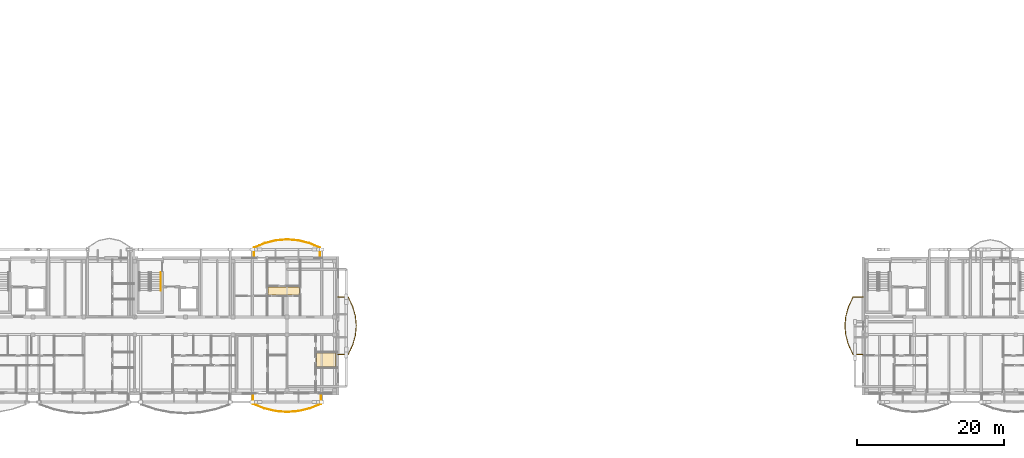
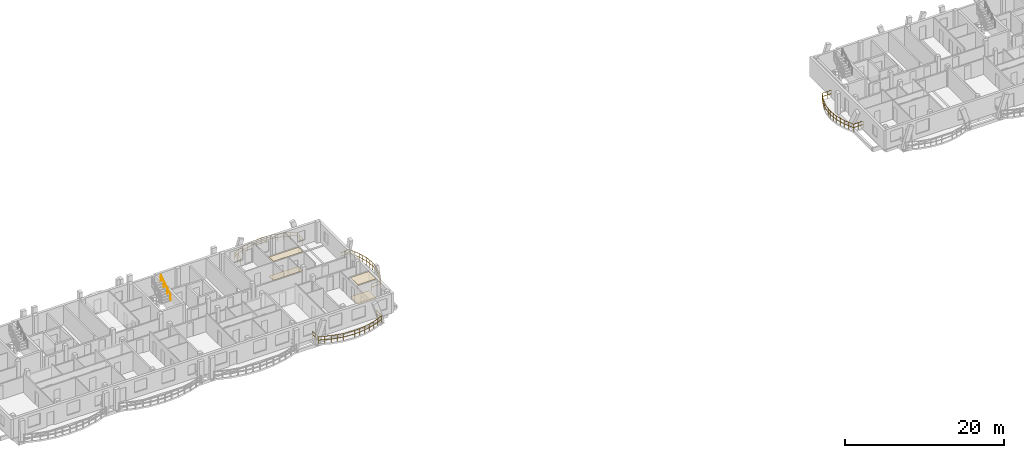
# One storey, part 37 of 44: 5 railings, 4 coverings.
"""IFC4 building model written with IfcOpenShell, lengths in metres."""

from ifc_helpers import new_model, si_unit, direction, frame, origin, origin_2d, place, context, subcontext, project, spatial, polyline, rectangle, outline, extrude, material, layer, layer_set, type_object, element, save


model = new_model("IFC4")

# Units and contexts
model_context = context("Model", 3, precision=1e-05, world=origin(), true_north=direction((0.0, 1.0)))
body_context = subcontext(model_context, "Body", "Model", "MODEL_VIEW")
ifc_project = project(units=[si_unit("LENGTHUNIT", "METRE"), si_unit("AREAUNIT", "SQUARE_METRE"), si_unit("VOLUMEUNIT", "CUBIC_METRE"), si_unit("PLANEANGLEUNIT", "RADIAN"), si_unit("MASSUNIT", "GRAM", prefix="KILO")], contexts=[model_context])

# Site, building, storey
site_placement = place(None, origin())
site = spatial("IfcSite", under=ifc_project, at=site_placement, CompositionType="ELEMENT")
building_placement = place(site_placement, origin())
building = spatial("IfcBuilding", under=site, at=building_placement, Name="Zavelmont Quarter", CompositionType="ELEMENT")
storey_placement = place(building_placement, frame((0.0, 0.0, 20.800048828125)))
storey = spatial("IfcBuildingStorey", under=building, at=storey_placement, Name="L06", CompositionType="ELEMENT", Elevation=20.800048828125)

# Coverings
ifc_material_1 = material(Name="Slatted European ash acoustic baffle ceiling")
ifc_layer_1 = layer(ifc_material_1, 0.0400390625)
ifc_layer_set_1 = layer_set([ifc_layer_1], Name="Slatted European ash acoustic baffle ceiling")
covering_type_1 = type_object("IfcCoveringType", Name="CV-CL02", PredefinedType="CEILING", material=ifc_layer_set_1)
covering_1_placement = place(storey_placement, frame((0.0, 0.0, 2.909912109375)))
element("IfcCovering", 1, at=covering_1_placement, inside=storey, type_object=covering_type_1, Name="L06 Apartment Hall acoustic ceiling", PredefinedType="CEILING", context=body_context, shape_type="SweptSolid", body=[
    extrude(outline(polyline([(45.72998046875, 14.469970703125), (49.969970703125, 14.469970703125), (49.969970703125, 13.3798828125), (45.72998046875, 13.3798828125), (45.72998046875, 14.469970703125)])), origin(), (0.0, 0.0, 1.0), 0.0400390625),
])
ifc_material_2 = material(Name="Moisture-resistant painted gypsum ceiling")
ifc_layer_2 = layer(ifc_material_2, 0.02001953125)
ifc_layer_set_2 = layer_set([ifc_layer_2], Name="Moisture-resistant painted gypsum ceiling")
covering_type_2 = type_object("IfcCoveringType", Name="CV-CL04", PredefinedType="CEILING", material=ifc_layer_set_2)
covering_2_placement = place(storey_placement, frame((0.0, 0.0, 2.929931640625)))
element("IfcCovering", 2, at=covering_2_placement, inside=storey, type_object=covering_type_2, Name="L06 Bathroom acoustic ceiling", PredefinedType="CEILING", context=body_context, shape_type="SweptSolid", body=[
    extrude(outline(polyline([(52.330078125, 5.469970703125), (54.969970703125, 5.469970703125), (54.969970703125, 3.6298828125), (52.330078125, 3.6298828125), (52.330078125, 5.469970703125)])), origin(), (0.0, 0.0, 1.0), 0.02001953125),
])
ifc_material_3 = material(Name="Honed Belgian bluestone tile", Category="masonry")
ifc_layer_3 = layer(ifc_material_3, 0.030029296875)
ifc_layer_set_3 = layer_set([ifc_layer_3], Name="Honed Belgian bluestone tile")
covering_type_3 = type_object("IfcCoveringType", Name="CV-FL02", PredefinedType="FLOORING", material=ifc_layer_set_3)
covering_3_placement = place(storey_placement, origin())
element("IfcCovering", 3, at=covering_3_placement, inside=storey, type_object=covering_type_3, Name="L06 Apartment Hall floor finish", PredefinedType="FLOORING", context=body_context, shape_type="SweptSolid", body=[
    extrude(outline(polyline([(45.72998046875, 14.469970703125), (49.969970703125, 14.469970703125), (49.969970703125, 13.3798828125), (45.72998046875, 13.3798828125), (45.72998046875, 14.469970703125)])), origin(), (0.0, 0.0, 1.0), 0.030029296875),
])
ifc_material_4 = material(Name="Slip-resistant porcelain tile")
ifc_layer_4 = layer(ifc_material_4, 0.02587890625)
ifc_layer_set_4 = layer_set([ifc_layer_4], Name="Slip-resistant porcelain tile")
covering_type_4 = type_object("IfcCoveringType", Name="CV-FL04", PredefinedType="FLOORING", material=ifc_layer_set_4)
covering_4_placement = place(storey_placement, origin())
element("IfcCovering", 4, at=covering_4_placement, inside=storey, type_object=covering_type_4, Name="L06 Bathroom floor finish", PredefinedType="FLOORING", context=body_context, shape_type="SweptSolid", body=[
    extrude(outline(polyline([(52.330078125, 5.469970703125), (54.969970703125, 5.469970703125), (54.969970703125, 3.6298828125), (52.330078125, 3.6298828125), (52.330078125, 5.469970703125)])), origin(), (0.0, 0.0, 1.0), 0.02587890625),
])

# Railings
ifc_material_5 = material(Name="Powder-coated steel and tempered double safety glass", Category="steel")
railing_type_1 = type_object("IfcRailingType", Name="RL-BAL1", PredefinedType="BALUSTRADE", material=ifc_material_5)
railing_1_placement = place(storey_placement, frame((43.685302734375, -0.02001953125, 0.0)))
element("IfcRailing", 5, at=railing_1_placement, inside=storey, type_object=railing_type_1, Name="L06 Block A curved balcony guard RL-BAL1", PredefinedType="BALUSTRADE", context=body_context, shape_type="SweptSolid", body=[
    extrude(rectangle(XDim=0.048095703125, YDim=0.048095703125, at=origin_2d()), frame((0.0, 0.0, 1.076171875), z_axis=(0.0, -1.0, 0.0), x_axis=(1.0, 0.0, 0.0)), (0.0, 0.0, 1.0), 1.392333984375),
    extrude(rectangle(XDim=0.048095703125, YDim=0.048095703125, at=origin_2d()), frame((0.0, 0.0, 0.550048828125), z_axis=(0.0, -1.0, 0.0), x_axis=(1.0, 0.0, 0.0)), (0.0, 0.0, 1.0), 1.392333984375),
    extrude(rectangle(XDim=0.048095703125, YDim=0.048095703125, at=origin_2d()), frame((0.0, -1.392333984375, 1.076171875), z_axis=(0.928222444561, -0.372025662304, 0.0), x_axis=(0.372025662304, 0.928222444561, 0.0)), (0.0, 0.0, 1.0), 1.656982421875),
    extrude(rectangle(XDim=0.048095703125, YDim=0.048095703125, at=origin_2d()), frame((0.0, -1.392333984375, 0.550048828125), z_axis=(0.928222444561, -0.372025662304, 0.0), x_axis=(0.372025662304, 0.928222444561, 0.0)), (0.0, 0.0, 1.0), 1.656982421875),
    extrude(rectangle(XDim=0.048095703125, YDim=0.048095703125, at=origin_2d()), frame((1.5380859375, -2.0087890625, 1.076171875), z_axis=(0.972290572243, -0.233775625607, 0.0), x_axis=(0.233775625607, 0.972290572243, 0.0)), (0.0, 0.0, 1.0), 1.582275390625),
    extrude(rectangle(XDim=0.048095703125, YDim=0.048095703125, at=origin_2d()), frame((1.5380859375, -2.0087890625, 0.550048828125), z_axis=(0.972290572243, -0.233775625607, 0.0), x_axis=(0.233775625607, 0.972290572243, 0.0)), (0.0, 0.0, 1.0), 1.582275390625),
    extrude(rectangle(XDim=0.048095703125, YDim=0.048095703125, at=origin_2d()), frame((3.076416015625, -2.378662109375, 1.076171875), z_axis=(0.996803698739, -0.079889837782, 0.0), x_axis=(0.079889837782, 0.996803698739, 0.0)), (0.0, 0.0, 1.0), 1.543212890625),
    extrude(rectangle(XDim=0.048095703125, YDim=0.048095703125, at=origin_2d()), frame((3.076416015625, -2.378662109375, 0.550048828125), z_axis=(0.996803698739, -0.079889837782, 0.0), x_axis=(0.079889837782, 0.996803698739, 0.0)), (0.0, 0.0, 1.0), 1.543212890625),
    extrude(rectangle(XDim=0.048095703125, YDim=0.048095703125, at=origin_2d()), frame((4.61474609375, -2.501953125, 1.076171875), z_axis=(0.996802688821, 0.079902437755, 0.0), x_axis=(-0.079902437755, 0.996802688821, 0.0)), (0.0, 0.0, 1.0), 1.54296875),
    extrude(rectangle(XDim=0.048095703125, YDim=0.048095703125, at=origin_2d()), frame((4.61474609375, -2.501953125, 0.550048828125), z_axis=(0.996802688821, 0.079902437755, 0.0), x_axis=(-0.079902437755, 0.996802688821, 0.0)), (0.0, 0.0, 1.0), 1.54296875),
    extrude(rectangle(XDim=0.048095703125, YDim=0.048095703125, at=origin_2d()), frame((6.15283203125, -2.378662109375, 1.076171875), z_axis=(0.972290572243, 0.233775625607, 0.0), x_axis=(-0.233775625607, 0.972290572243, 0.0)), (0.0, 0.0, 1.0), 1.582275390625),
    extrude(rectangle(XDim=0.048095703125, YDim=0.048095703125, at=origin_2d()), frame((6.15283203125, -2.378662109375, 0.550048828125), z_axis=(0.972290572243, 0.233775625607, 0.0), x_axis=(-0.233775625607, 0.972290572243, 0.0)), (0.0, 0.0, 1.0), 1.582275390625),
    extrude(rectangle(XDim=0.048095703125, YDim=0.048095703125, at=origin_2d()), frame((7.691162109375, -2.0087890625, 1.076171875), z_axis=(0.928242832261, 0.371974789947, 0.0), x_axis=(-0.371974789947, 0.928242832261, 0.0)), (0.0, 0.0, 1.0), 1.6572265625),
    extrude(rectangle(XDim=0.048095703125, YDim=0.048095703125, at=origin_2d()), frame((7.691162109375, -2.0087890625, 0.550048828125), z_axis=(0.928242832261, 0.371974789947, 0.0), x_axis=(-0.371974789947, 0.928242832261, 0.0)), (0.0, 0.0, 1.0), 1.6572265625),
    extrude(rectangle(XDim=0.048095703125, YDim=0.048095703125, at=origin_2d()), frame((9.2294921875, -1.392333984375, 1.076171875), z_axis=(0.0, 1.0, 0.0), x_axis=(-1.0, 0.0, 0.0)), (0.0, 0.0, 1.0), 1.392333984375),
    extrude(rectangle(XDim=0.048095703125, YDim=0.048095703125, at=origin_2d()), frame((9.2294921875, -1.392333984375, 0.550048828125), z_axis=(0.0, 1.0, 0.0), x_axis=(-1.0, 0.0, 0.0)), (0.0, 0.0, 1.0), 1.392333984375),
    extrude(rectangle(XDim=0.0419921875, YDim=0.0419921875, at=origin_2d()), origin(), (0.0, 0.0, 1.0), 1.052001953125),
    extrude(rectangle(XDim=0.0419921875, YDim=0.0419921875, at=origin_2d()), frame((0.0, -0.6962890625, 0.0)), (0.0, 0.0, 1.0), 1.052001953125),
    extrude(rectangle(XDim=0.0419921875, YDim=0.0419921875, at=origin_2d()), frame((0.0, -1.392333984375, 0.0)), (0.0, 0.0, 1.0), 1.052001953125),
    extrude(rectangle(XDim=0.0419921875, YDim=0.0419921875, at=origin_2d()), frame((0.76904296875, -1.70068359375, 0.0)), (0.0, 0.0, 1.0), 1.052001953125),
    extrude(rectangle(XDim=0.0419921875, YDim=0.0419921875, at=origin_2d()), frame((1.5380859375, -2.0087890625, 0.0)), (0.0, 0.0, 1.0), 1.052001953125),
    extrude(rectangle(XDim=0.0419921875, YDim=0.0419921875, at=origin_2d()), frame((2.30712890625, -2.19384765625, 0.0)), (0.0, 0.0, 1.0), 1.052001953125),
    extrude(rectangle(XDim=0.0419921875, YDim=0.0419921875, at=origin_2d()), frame((3.076416015625, -2.378662109375, 0.0)), (0.0, 0.0, 1.0), 1.052001953125),
    extrude(rectangle(XDim=0.0419921875, YDim=0.0419921875, at=origin_2d()), frame((3.845703125, -2.4404296875, 0.0)), (0.0, 0.0, 1.0), 1.052001953125),
    extrude(rectangle(XDim=0.0419921875, YDim=0.0419921875, at=origin_2d()), frame((4.61474609375, -2.501953125, 0.0)), (0.0, 0.0, 1.0), 1.052001953125),
    extrude(rectangle(XDim=0.0419921875, YDim=0.0419921875, at=origin_2d()), frame((5.3837890625, -2.4404296875, 0.0)), (0.0, 0.0, 1.0), 1.052001953125),
    extrude(rectangle(XDim=0.0419921875, YDim=0.0419921875, at=origin_2d()), frame((6.15283203125, -2.378662109375, 0.0)), (0.0, 0.0, 1.0), 1.052001953125),
    extrude(rectangle(XDim=0.0419921875, YDim=0.0419921875, at=origin_2d()), frame((6.921875, -2.19384765625, 0.0)), (0.0, 0.0, 1.0), 1.052001953125),
    extrude(rectangle(XDim=0.0419921875, YDim=0.0419921875, at=origin_2d()), frame((7.691162109375, -2.0087890625, 0.0)), (0.0, 0.0, 1.0), 1.052001953125),
    extrude(rectangle(XDim=0.0419921875, YDim=0.0419921875, at=origin_2d()), frame((8.46044921875, -1.70068359375, 0.0)), (0.0, 0.0, 1.0), 1.052001953125),
    extrude(rectangle(XDim=0.0419921875, YDim=0.0419921875, at=origin_2d()), frame((9.2294921875, -1.392333984375, 0.0)), (0.0, 0.0, 1.0), 1.052001953125),
    extrude(rectangle(XDim=0.0419921875, YDim=0.0419921875, at=origin_2d()), frame((9.2294921875, -0.6962890625, 0.0)), (0.0, 0.0, 1.0), 1.052001953125),
    extrude(rectangle(XDim=0.0419921875, YDim=0.0419921875, at=origin_2d()), frame((9.2294921875, 0.0, 0.0)), (0.0, 0.0, 1.0), 1.052001953125),
])
railing_2_placement = place(storey_placement, frame((55.219970703125, 5.276611328125, 0.0)))
element("IfcRailing", 6, at=railing_2_placement, inside=storey, type_object=railing_type_1, Name="L06 Block A curved balcony guard RL-BAL1", PredefinedType="BALUSTRADE", context=body_context, shape_type="SweptSolid", body=[
    extrude(rectangle(XDim=0.048095703125, YDim=0.048095703125, at=origin_2d()), frame((0.0, 0.0, 1.076171875), z_axis=(1.0, 0.0, 0.0), x_axis=(0.0, 1.0, 0.0)), (0.0, 0.0, 1.0), 1.392333984375),
    extrude(rectangle(XDim=0.048095703125, YDim=0.048095703125, at=origin_2d()), frame((0.0, 0.0, 0.550048828125), z_axis=(1.0, 0.0, 0.0), x_axis=(0.0, 1.0, 0.0)), (0.0, 0.0, 1.0), 1.392333984375),
    extrude(rectangle(XDim=0.048095703125, YDim=0.048095703125, at=origin_2d()), frame((1.392333984375, 0.0, 1.076171875), z_axis=(0.42635804945, 0.904554483527, 0.0), x_axis=(-0.904554483527, 0.42635804945, 0.0)), (0.0, 0.0, 1.0), 1.44580078125),
    extrude(rectangle(XDim=0.048095703125, YDim=0.048095703125, at=origin_2d()), frame((1.392333984375, 0.0, 0.550048828125), z_axis=(0.42635804945, 0.904554483527, 0.0), x_axis=(-0.904554483527, 0.42635804945, 0.0)), (0.0, 0.0, 1.0), 1.44580078125),
    extrude(rectangle(XDim=0.048095703125, YDim=0.048095703125, at=origin_2d()), frame((2.0087890625, 1.307861328125, 1.076171875), z_axis=(0.272181235664, 0.962246005423, 0.0), x_axis=(-0.962246005423, 0.272181235664, 0.0)), (0.0, 0.0, 1.0), 1.35888671875),
    extrude(rectangle(XDim=0.048095703125, YDim=0.048095703125, at=origin_2d()), frame((2.0087890625, 1.307861328125, 0.550048828125), z_axis=(0.272181235664, 0.962246005423, 0.0), x_axis=(-0.962246005423, 0.272181235664, 0.0)), (0.0, 0.0, 1.0), 1.35888671875),
    extrude(rectangle(XDim=0.048095703125, YDim=0.048095703125, at=origin_2d()), frame((2.378662109375, 2.615478515625, 1.076171875), z_axis=(0.093853081823, 0.995586058074, 0.0), x_axis=(-0.995586058074, 0.093853081823, 0.0)), (0.0, 0.0, 1.0), 1.313720703125),
    extrude(rectangle(XDim=0.048095703125, YDim=0.048095703125, at=origin_2d()), frame((2.378662109375, 2.615478515625, 0.550048828125), z_axis=(0.093853081823, 0.995586058074, 0.0), x_axis=(-0.995586058074, 0.093853081823, 0.0)), (0.0, 0.0, 1.0), 1.313720703125),
    extrude(rectangle(XDim=0.048095703125, YDim=0.048095703125, at=origin_2d()), frame((2.501953125, 3.92333984375, 1.076171875), z_axis=(-0.093853081823, 0.995586058074, 0.0), x_axis=(-0.995586058074, -0.093853081823, 0.0)), (0.0, 0.0, 1.0), 1.313720703125),
    extrude(rectangle(XDim=0.048095703125, YDim=0.048095703125, at=origin_2d()), frame((2.501953125, 3.92333984375, 0.550048828125), z_axis=(-0.093853081823, 0.995586058074, 0.0), x_axis=(-0.995586058074, -0.093853081823, 0.0)), (0.0, 0.0, 1.0), 1.313720703125),
    extrude(rectangle(XDim=0.048095703125, YDim=0.048095703125, at=origin_2d()), frame((2.378662109375, 5.231201171875, 1.076171875), z_axis=(-0.272134190198, 0.962259311478, 0.0), x_axis=(-0.962259311478, -0.272134190198, 0.0)), (0.0, 0.0, 1.0), 1.359130859375),
    extrude(rectangle(XDim=0.048095703125, YDim=0.048095703125, at=origin_2d()), frame((2.378662109375, 5.231201171875, 0.550048828125), z_axis=(-0.272134190198, 0.962259311478, 0.0), x_axis=(-0.962259311478, -0.272134190198, 0.0)), (0.0, 0.0, 1.0), 1.359130859375),
    extrude(rectangle(XDim=0.048095703125, YDim=0.048095703125, at=origin_2d()), frame((2.0087890625, 6.5390625, 1.076171875), z_axis=(-0.426423179476, 0.904523781891, 0.0), x_axis=(-0.904523781891, -0.426423179476, 0.0)), (0.0, 0.0, 1.0), 1.445556640625),
    extrude(rectangle(XDim=0.048095703125, YDim=0.048095703125, at=origin_2d()), frame((2.0087890625, 6.5390625, 0.550048828125), z_axis=(-0.426423179476, 0.904523781891, 0.0), x_axis=(-0.904523781891, -0.426423179476, 0.0)), (0.0, 0.0, 1.0), 1.445556640625),
    extrude(rectangle(XDim=0.048095703125, YDim=0.048095703125, at=origin_2d()), frame((1.392333984375, 7.8466796875, 1.076171875), z_axis=(-1.0, 0.0, 0.0), x_axis=(0.0, -1.0, 0.0)), (0.0, 0.0, 1.0), 1.392333984375),
    extrude(rectangle(XDim=0.048095703125, YDim=0.048095703125, at=origin_2d()), frame((1.392333984375, 7.8466796875, 0.550048828125), z_axis=(-1.0, 0.0, 0.0), x_axis=(0.0, -1.0, 0.0)), (0.0, 0.0, 1.0), 1.392333984375),
    extrude(rectangle(XDim=0.0419921875, YDim=0.0419921875, at=origin_2d()), origin(), (0.0, 0.0, 1.0), 1.052001953125),
    extrude(rectangle(XDim=0.0419921875, YDim=0.0419921875, at=origin_2d()), frame((0.6962890625, 0.0, 0.0)), (0.0, 0.0, 1.0), 1.052001953125),
    extrude(rectangle(XDim=0.0419921875, YDim=0.0419921875, at=origin_2d()), frame((1.392333984375, 0.0, 0.0)), (0.0, 0.0, 1.0), 1.052001953125),
    extrude(rectangle(XDim=0.0419921875, YDim=0.0419921875, at=origin_2d()), frame((1.70068359375, 0.65380859375, 0.0)), (0.0, 0.0, 1.0), 1.052001953125),
    extrude(rectangle(XDim=0.0419921875, YDim=0.0419921875, at=origin_2d()), frame((2.0087890625, 1.307861328125, 0.0)), (0.0, 0.0, 1.0), 1.052001953125),
    extrude(rectangle(XDim=0.0419921875, YDim=0.0419921875, at=origin_2d()), frame((2.19384765625, 1.961669921875, 0.0)), (0.0, 0.0, 1.0), 1.052001953125),
    extrude(rectangle(XDim=0.0419921875, YDim=0.0419921875, at=origin_2d()), frame((2.378662109375, 2.615478515625, 0.0)), (0.0, 0.0, 1.0), 1.052001953125),
    extrude(rectangle(XDim=0.0419921875, YDim=0.0419921875, at=origin_2d()), frame((2.4404296875, 3.26953125, 0.0)), (0.0, 0.0, 1.0), 1.052001953125),
    extrude(rectangle(XDim=0.0419921875, YDim=0.0419921875, at=origin_2d()), frame((2.501953125, 3.92333984375, 0.0)), (0.0, 0.0, 1.0), 1.052001953125),
    extrude(rectangle(XDim=0.0419921875, YDim=0.0419921875, at=origin_2d()), frame((2.4404296875, 4.5771484375, 0.0)), (0.0, 0.0, 1.0), 1.052001953125),
    extrude(rectangle(XDim=0.0419921875, YDim=0.0419921875, at=origin_2d()), frame((2.378662109375, 5.231201171875, 0.0)), (0.0, 0.0, 1.0), 1.052001953125),
    extrude(rectangle(XDim=0.0419921875, YDim=0.0419921875, at=origin_2d()), frame((2.19384765625, 5.88525390625, 0.0)), (0.0, 0.0, 1.0), 1.052001953125),
    extrude(rectangle(XDim=0.0419921875, YDim=0.0419921875, at=origin_2d()), frame((2.0087890625, 6.5390625, 0.0)), (0.0, 0.0, 1.0), 1.052001953125),
    extrude(rectangle(XDim=0.0419921875, YDim=0.0419921875, at=origin_2d()), frame((1.70068359375, 7.19287109375, 0.0)), (0.0, 0.0, 1.0), 1.052001953125),
    extrude(rectangle(XDim=0.0419921875, YDim=0.0419921875, at=origin_2d()), frame((1.392333984375, 7.8466796875, 0.0)), (0.0, 0.0, 1.0), 1.052001953125),
    extrude(rectangle(XDim=0.0419921875, YDim=0.0419921875, at=origin_2d()), frame((0.6962890625, 7.8466796875, 0.0)), (0.0, 0.0, 1.0), 1.052001953125),
    extrude(rectangle(XDim=0.0419921875, YDim=0.0419921875, at=origin_2d()), frame((0.0, 7.8466796875, 0.0)), (0.0, 0.0, 1.0), 1.052001953125),
])
railing_3_placement = place(storey_placement, frame((52.771484375, 18.419921875, 0.0)))
element("IfcRailing", 7, at=railing_3_placement, inside=storey, type_object=railing_type_1, Name="L06 Block A curved balcony guard RL-BAL1", PredefinedType="BALUSTRADE", context=body_context, shape_type="SweptSolid", body=[
    extrude(rectangle(XDim=0.048095703125, YDim=0.048095703125, at=origin_2d()), frame((0.0, 0.0, 1.076171875), z_axis=(0.0, 1.0, 0.0), x_axis=(-1.0, 0.0, 0.0)), (0.0, 0.0, 1.0), 1.392333984375),
    extrude(rectangle(XDim=0.048095703125, YDim=0.048095703125, at=origin_2d()), frame((0.0, 0.0, 0.550048828125), z_axis=(0.0, 1.0, 0.0), x_axis=(-1.0, 0.0, 0.0)), (0.0, 0.0, 1.0), 1.392333984375),
    extrude(rectangle(XDim=0.048095703125, YDim=0.048095703125, at=origin_2d()), frame((0.0, 1.392333984375, 1.076171875), z_axis=(-0.924081360542, 0.382195812509, 0.0), x_axis=(-0.382195812509, -0.924081360542, 0.0)), (0.0, 0.0, 1.0), 1.613037109375),
    extrude(rectangle(XDim=0.048095703125, YDim=0.048095703125, at=origin_2d()), frame((0.0, 1.392333984375, 0.550048828125), z_axis=(-0.924081360542, 0.382195812509, 0.0), x_axis=(-0.382195812509, -0.924081360542, 0.0)), (0.0, 0.0, 1.0), 1.613037109375),
    extrude(rectangle(XDim=0.048095703125, YDim=0.048095703125, at=origin_2d()), frame((-1.490478515625, 2.0087890625, 1.076171875), z_axis=(-0.970561864422, 0.240851961441, 0.0), x_axis=(-0.240851961441, -0.970561864422, 0.0)), (0.0, 0.0, 1.0), 1.53564453125),
    extrude(rectangle(XDim=0.048095703125, YDim=0.048095703125, at=origin_2d()), frame((-1.490478515625, 2.0087890625, 0.550048828125), z_axis=(-0.970561864422, 0.240851961441, 0.0), x_axis=(-0.240851961441, -0.970561864422, 0.0)), (0.0, 0.0, 1.0), 1.53564453125),
    extrude(rectangle(XDim=0.048095703125, YDim=0.048095703125, at=origin_2d()), frame((-2.98095703125, 2.378662109375, 1.076171875), z_axis=(-0.996582809795, 0.082599656307, 0.0), x_axis=(-0.082599656307, -0.996582809795, 0.0)), (0.0, 0.0, 1.0), 1.49560546875),
    extrude(rectangle(XDim=0.048095703125, YDim=0.048095703125, at=origin_2d()), frame((-2.98095703125, 2.378662109375, 0.550048828125), z_axis=(-0.996582809795, 0.082599656307, 0.0), x_axis=(-0.082599656307, -0.996582809795, 0.0)), (0.0, 0.0, 1.0), 1.49560546875),
    extrude(rectangle(XDim=0.048095703125, YDim=0.048095703125, at=origin_2d()), frame((-4.471435546875, 2.502197265625, 1.076171875), z_axis=(-0.996582809795, -0.082599656307, 0.0), x_axis=(0.082599656307, -0.996582809795, 0.0)), (0.0, 0.0, 1.0), 1.49560546875),
    extrude(rectangle(XDim=0.048095703125, YDim=0.048095703125, at=origin_2d()), frame((-4.471435546875, 2.502197265625, 0.550048828125), z_axis=(-0.996582809795, -0.082599656307, 0.0), x_axis=(0.082599656307, -0.996582809795, 0.0)), (0.0, 0.0, 1.0), 1.49560546875),
    extrude(rectangle(XDim=0.048095703125, YDim=0.048095703125, at=origin_2d()), frame((-5.9619140625, 2.378662109375, 1.076171875), z_axis=(-0.970561864422, -0.240851961441, 0.0), x_axis=(0.240851961441, -0.970561864422, 0.0)), (0.0, 0.0, 1.0), 1.53564453125),
    extrude(rectangle(XDim=0.048095703125, YDim=0.048095703125, at=origin_2d()), frame((-5.9619140625, 2.378662109375, 0.550048828125), z_axis=(-0.970561864422, -0.240851961441, 0.0), x_axis=(0.240851961441, -0.970561864422, 0.0)), (0.0, 0.0, 1.0), 1.53564453125),
    extrude(rectangle(XDim=0.048095703125, YDim=0.048095703125, at=origin_2d()), frame((-7.452392578125, 2.0087890625, 1.076171875), z_axis=(-0.924081360542, -0.382195812509, 0.0), x_axis=(0.382195812509, -0.924081360542, 0.0)), (0.0, 0.0, 1.0), 1.613037109375),
    extrude(rectangle(XDim=0.048095703125, YDim=0.048095703125, at=origin_2d()), frame((-7.452392578125, 2.0087890625, 0.550048828125), z_axis=(-0.924081360542, -0.382195812509, 0.0), x_axis=(0.382195812509, -0.924081360542, 0.0)), (0.0, 0.0, 1.0), 1.613037109375),
    extrude(rectangle(XDim=0.048095703125, YDim=0.048095703125, at=origin_2d()), frame((-8.94287109375, 1.392333984375, 1.076171875), z_axis=(0.0, -1.0, 0.0), x_axis=(1.0, 0.0, 0.0)), (0.0, 0.0, 1.0), 1.392333984375),
    extrude(rectangle(XDim=0.048095703125, YDim=0.048095703125, at=origin_2d()), frame((-8.94287109375, 1.392333984375, 0.550048828125), z_axis=(0.0, -1.0, 0.0), x_axis=(1.0, 0.0, 0.0)), (0.0, 0.0, 1.0), 1.392333984375),
    extrude(rectangle(XDim=0.0419921875, YDim=0.0419921875, at=origin_2d()), origin(), (0.0, 0.0, 1.0), 1.052001953125),
    extrude(rectangle(XDim=0.0419921875, YDim=0.0419921875, at=origin_2d()), frame((0.0, 0.6962890625, 0.0)), (0.0, 0.0, 1.0), 1.052001953125),
    extrude(rectangle(XDim=0.0419921875, YDim=0.0419921875, at=origin_2d()), frame((0.0, 1.392333984375, 0.0)), (0.0, 0.0, 1.0), 1.052001953125),
    extrude(rectangle(XDim=0.0419921875, YDim=0.0419921875, at=origin_2d()), frame((-0.7451171875, 1.70068359375, 0.0)), (0.0, 0.0, 1.0), 1.052001953125),
    extrude(rectangle(XDim=0.0419921875, YDim=0.0419921875, at=origin_2d()), frame((-1.490478515625, 2.0087890625, 0.0)), (0.0, 0.0, 1.0), 1.052001953125),
    extrude(rectangle(XDim=0.0419921875, YDim=0.0419921875, at=origin_2d()), frame((-2.23583984375, 2.19384765625, 0.0)), (0.0, 0.0, 1.0), 1.052001953125),
    extrude(rectangle(XDim=0.0419921875, YDim=0.0419921875, at=origin_2d()), frame((-2.98095703125, 2.378662109375, 0.0)), (0.0, 0.0, 1.0), 1.052001953125),
    extrude(rectangle(XDim=0.0419921875, YDim=0.0419921875, at=origin_2d()), frame((-3.72607421875, 2.4404296875, 0.0)), (0.0, 0.0, 1.0), 1.052001953125),
    extrude(rectangle(XDim=0.0419921875, YDim=0.0419921875, at=origin_2d()), frame((-4.471435546875, 2.502197265625, 0.0)), (0.0, 0.0, 1.0), 1.052001953125),
    extrude(rectangle(XDim=0.0419921875, YDim=0.0419921875, at=origin_2d()), frame((-5.216796875, 2.4404296875, 0.0)), (0.0, 0.0, 1.0), 1.052001953125),
    extrude(rectangle(XDim=0.0419921875, YDim=0.0419921875, at=origin_2d()), frame((-5.9619140625, 2.378662109375, 0.0)), (0.0, 0.0, 1.0), 1.052001953125),
    extrude(rectangle(XDim=0.0419921875, YDim=0.0419921875, at=origin_2d()), frame((-6.70703125, 2.19384765625, 0.0)), (0.0, 0.0, 1.0), 1.052001953125),
    extrude(rectangle(XDim=0.0419921875, YDim=0.0419921875, at=origin_2d()), frame((-7.452392578125, 2.0087890625, 0.0)), (0.0, 0.0, 1.0), 1.052001953125),
    extrude(rectangle(XDim=0.0419921875, YDim=0.0419921875, at=origin_2d()), frame((-8.19775390625, 1.70068359375, 0.0)), (0.0, 0.0, 1.0), 1.052001953125),
    extrude(rectangle(XDim=0.0419921875, YDim=0.0419921875, at=origin_2d()), frame((-8.94287109375, 1.392333984375, 0.0)), (0.0, 0.0, 1.0), 1.052001953125),
    extrude(rectangle(XDim=0.0419921875, YDim=0.0419921875, at=origin_2d()), frame((-8.94287109375, 0.6962890625, 0.0)), (0.0, 0.0, 1.0), 1.052001953125),
    extrude(rectangle(XDim=0.0419921875, YDim=0.0419921875, at=origin_2d()), frame((-8.94287109375, 0.0, 0.0)), (0.0, 0.0, 1.0), 1.052001953125),
])
railing_4_placement = place(storey_placement, frame((126.580078125, 13.123291015625, 0.0)))
element("IfcRailing", 8, at=railing_4_placement, inside=storey, type_object=railing_type_1, Name="L06 Block D curved balcony guard RL-BAL1", PredefinedType="BALUSTRADE", context=body_context, shape_type="SweptSolid", body=[
    extrude(rectangle(XDim=0.048095703125, YDim=0.048095703125, at=origin_2d()), frame((0.0, 0.0, 1.076171875), z_axis=(-1.0, 0.0, 0.0), x_axis=(0.0, -1.0, 0.0)), (0.0, 0.0, 1.0), 1.392333984375),
    extrude(rectangle(XDim=0.048095703125, YDim=0.048095703125, at=origin_2d()), frame((0.0, 0.0, 0.550048828125), z_axis=(-1.0, 0.0, 0.0), x_axis=(0.0, -1.0, 0.0)), (0.0, 0.0, 1.0), 1.392333984375),
    extrude(rectangle(XDim=0.048095703125, YDim=0.048095703125, at=origin_2d()), frame((-1.392333984375, 0.0, 1.076171875), z_axis=(-0.426423179476, -0.904523781891, 0.0), x_axis=(0.904523781891, -0.426423179476, 0.0)), (0.0, 0.0, 1.0), 1.445556640625),
    extrude(rectangle(XDim=0.048095703125, YDim=0.048095703125, at=origin_2d()), frame((-1.392333984375, 0.0, 0.550048828125), z_axis=(-0.426423179476, -0.904523781891, 0.0), x_axis=(0.904523781891, -0.426423179476, 0.0)), (0.0, 0.0, 1.0), 1.445556640625),
    extrude(rectangle(XDim=0.048095703125, YDim=0.048095703125, at=origin_2d()), frame((-2.0087890625, -1.3076171875, 1.076171875), z_axis=(-0.272134190198, -0.962259311478, 0.0), x_axis=(0.962259311478, -0.272134190198, 0.0)), (0.0, 0.0, 1.0), 1.359130859375),
    extrude(rectangle(XDim=0.048095703125, YDim=0.048095703125, at=origin_2d()), frame((-2.0087890625, -1.3076171875, 0.550048828125), z_axis=(-0.272134190198, -0.962259311478, 0.0), x_axis=(0.962259311478, -0.272134190198, 0.0)), (0.0, 0.0, 1.0), 1.359130859375),
    extrude(rectangle(XDim=0.048095703125, YDim=0.048095703125, at=origin_2d()), frame((-2.378662109375, -2.615478515625, 1.076171875), z_axis=(-0.094037287667, -0.995568675948, 0.0), x_axis=(0.995568675948, -0.094037287667, 0.0)), (0.0, 0.0, 1.0), 1.313720703125),
    extrude(rectangle(XDim=0.048095703125, YDim=0.048095703125, at=origin_2d()), frame((-2.378662109375, -2.615478515625, 0.550048828125), z_axis=(-0.094037287667, -0.995568675948, 0.0), x_axis=(0.995568675948, -0.094037287667, 0.0)), (0.0, 0.0, 1.0), 1.313720703125),
    extrude(rectangle(XDim=0.048095703125, YDim=0.048095703125, at=origin_2d()), frame((-2.502197265625, -3.92333984375, 1.076171875), z_axis=(0.094037287667, -0.995568675948, 0.0), x_axis=(0.995568675948, 0.094037287667, 0.0)), (0.0, 0.0, 1.0), 1.313720703125),
    extrude(rectangle(XDim=0.048095703125, YDim=0.048095703125, at=origin_2d()), frame((-2.502197265625, -3.92333984375, 0.550048828125), z_axis=(0.094037287667, -0.995568675948, 0.0), x_axis=(0.995568675948, 0.094037287667, 0.0)), (0.0, 0.0, 1.0), 1.313720703125),
    extrude(rectangle(XDim=0.048095703125, YDim=0.048095703125, at=origin_2d()), frame((-2.378662109375, -5.231201171875, 1.076171875), z_axis=(0.272181235664, -0.962246005423, 0.0), x_axis=(0.962246005423, 0.272181235664, 0.0)), (0.0, 0.0, 1.0), 1.35888671875),
    extrude(rectangle(XDim=0.048095703125, YDim=0.048095703125, at=origin_2d()), frame((-2.378662109375, -5.231201171875, 0.550048828125), z_axis=(0.272181235664, -0.962246005423, 0.0), x_axis=(0.962246005423, 0.272181235664, 0.0)), (0.0, 0.0, 1.0), 1.35888671875),
    extrude(rectangle(XDim=0.048095703125, YDim=0.048095703125, at=origin_2d()), frame((-2.0087890625, -6.538818359375, 1.076171875), z_axis=(0.42635804945, -0.904554483527, 0.0), x_axis=(0.904554483527, 0.42635804945, 0.0)), (0.0, 0.0, 1.0), 1.44580078125),
    extrude(rectangle(XDim=0.048095703125, YDim=0.048095703125, at=origin_2d()), frame((-2.0087890625, -6.538818359375, 0.550048828125), z_axis=(0.42635804945, -0.904554483527, 0.0), x_axis=(0.904554483527, 0.42635804945, 0.0)), (0.0, 0.0, 1.0), 1.44580078125),
    extrude(rectangle(XDim=0.048095703125, YDim=0.048095703125, at=origin_2d()), frame((-1.392333984375, -7.8466796875, 1.076171875), z_axis=(1.0, 0.0, 0.0), x_axis=(0.0, 1.0, 0.0)), (0.0, 0.0, 1.0), 1.392333984375),
    extrude(rectangle(XDim=0.048095703125, YDim=0.048095703125, at=origin_2d()), frame((-1.392333984375, -7.8466796875, 0.550048828125), z_axis=(1.0, 0.0, 0.0), x_axis=(0.0, 1.0, 0.0)), (0.0, 0.0, 1.0), 1.392333984375),
    extrude(rectangle(XDim=0.0419921875, YDim=0.0419921875, at=origin_2d()), origin(), (0.0, 0.0, 1.0), 1.052001953125),
    extrude(rectangle(XDim=0.0419921875, YDim=0.0419921875, at=origin_2d()), frame((-0.6962890625, 0.0, 0.0)), (0.0, 0.0, 1.0), 1.052001953125),
    extrude(rectangle(XDim=0.0419921875, YDim=0.0419921875, at=origin_2d()), frame((-1.392333984375, 0.0, 0.0)), (0.0, 0.0, 1.0), 1.052001953125),
    extrude(rectangle(XDim=0.0419921875, YDim=0.0419921875, at=origin_2d()), frame((-1.70068359375, -0.65380859375, 0.0)), (0.0, 0.0, 1.0), 1.052001953125),
    extrude(rectangle(XDim=0.0419921875, YDim=0.0419921875, at=origin_2d()), frame((-2.0087890625, -1.3076171875, 0.0)), (0.0, 0.0, 1.0), 1.052001953125),
    extrude(rectangle(XDim=0.0419921875, YDim=0.0419921875, at=origin_2d()), frame((-2.19384765625, -1.96142578125, 0.0)), (0.0, 0.0, 1.0), 1.052001953125),
    extrude(rectangle(XDim=0.0419921875, YDim=0.0419921875, at=origin_2d()), frame((-2.378662109375, -2.615478515625, 0.0)), (0.0, 0.0, 1.0), 1.052001953125),
    extrude(rectangle(XDim=0.0419921875, YDim=0.0419921875, at=origin_2d()), frame((-2.4404296875, -3.26953125, 0.0)), (0.0, 0.0, 1.0), 1.052001953125),
    extrude(rectangle(XDim=0.0419921875, YDim=0.0419921875, at=origin_2d()), frame((-2.502197265625, -3.92333984375, 0.0)), (0.0, 0.0, 1.0), 1.052001953125),
    extrude(rectangle(XDim=0.0419921875, YDim=0.0419921875, at=origin_2d()), frame((-2.4404296875, -4.5771484375, 0.0)), (0.0, 0.0, 1.0), 1.052001953125),
    extrude(rectangle(XDim=0.0419921875, YDim=0.0419921875, at=origin_2d()), frame((-2.378662109375, -5.231201171875, 0.0)), (0.0, 0.0, 1.0), 1.052001953125),
    extrude(rectangle(XDim=0.0419921875, YDim=0.0419921875, at=origin_2d()), frame((-2.19384765625, -5.885009765625, 0.0)), (0.0, 0.0, 1.0), 1.052001953125),
    extrude(rectangle(XDim=0.0419921875, YDim=0.0419921875, at=origin_2d()), frame((-2.0087890625, -6.538818359375, 0.0)), (0.0, 0.0, 1.0), 1.052001953125),
    extrude(rectangle(XDim=0.0419921875, YDim=0.0419921875, at=origin_2d()), frame((-1.70068359375, -7.19287109375, 0.0)), (0.0, 0.0, 1.0), 1.052001953125),
    extrude(rectangle(XDim=0.0419921875, YDim=0.0419921875, at=origin_2d()), frame((-1.392333984375, -7.8466796875, 0.0)), (0.0, 0.0, 1.0), 1.052001953125),
    extrude(rectangle(XDim=0.0419921875, YDim=0.0419921875, at=origin_2d()), frame((-0.6962890625, -7.8466796875, 0.0)), (0.0, 0.0, 1.0), 1.052001953125),
    extrude(rectangle(XDim=0.0419921875, YDim=0.0419921875, at=origin_2d()), frame((0.0, -7.8466796875, 0.0)), (0.0, 0.0, 1.0), 1.052001953125),
])
ifc_material_6 = material(Name="Brushed stainless-steel wall handrail", Category="steel")
railing_type_2 = type_object("IfcRailingType", Name="RL-HND1", PredefinedType="HANDRAIL", material=ifc_material_6)
railing_5_placement = place(storey_placement, frame((31.14990234375, 13.969970703125, 1.77783203125)))
element("IfcRailing", 9, at=railing_5_placement, inside=storey, type_object=railing_type_2, Name="L06 ST02 stair handrail 2", PredefinedType="HANDRAIL", context=body_context, shape_type="SweptSolid", body=[
    extrude(rectangle(XDim=0.048095703125, YDim=0.048095703125, at=origin_2d()), frame((0.0, 0.0, 0.8759765625), z_axis=(0.0, 0.867490628297, 0.497453525283), x_axis=(-1.0, 0.0, 0.0)), (0.0, 0.0, 1.0), 2.85888671875),
    extrude(rectangle(XDim=0.0419921875, YDim=0.0419921875, at=origin_2d()), origin(), (0.0, 0.0, 1.0), 0.851806640625),
    extrude(rectangle(XDim=0.0419921875, YDim=0.0419921875, at=origin_2d()), frame((0.0, 0.82666015625, 0.47412109375)), (0.0, 0.0, 1.0), 0.851806640625),
    extrude(rectangle(XDim=0.0419921875, YDim=0.0419921875, at=origin_2d()), frame((0.0, 1.6533203125, 0.947998046875)), (0.0, 0.0, 1.0), 0.851806640625),
    extrude(rectangle(XDim=0.0419921875, YDim=0.0419921875, at=origin_2d()), frame((0.0, 2.47998046875, 1.422119140625)), (0.0, 0.0, 1.0), 0.851806640625),
])

save(model, "model.ifc")
